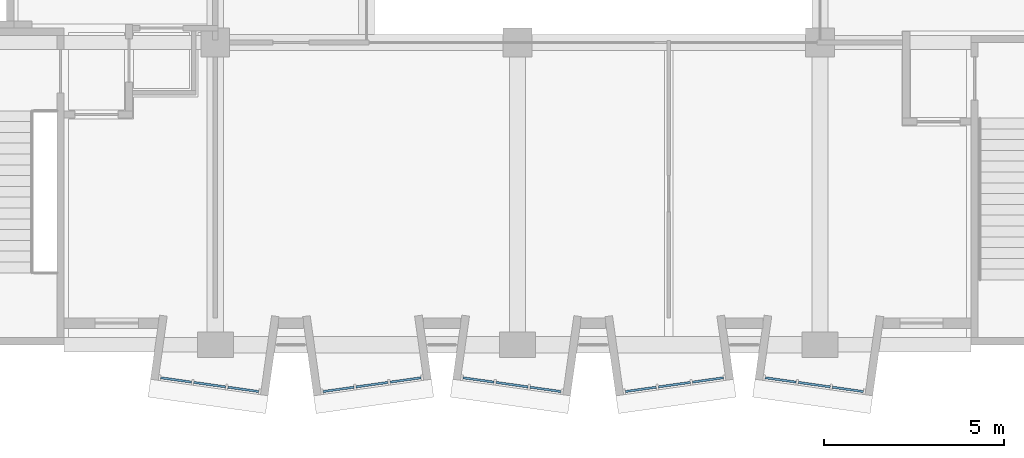
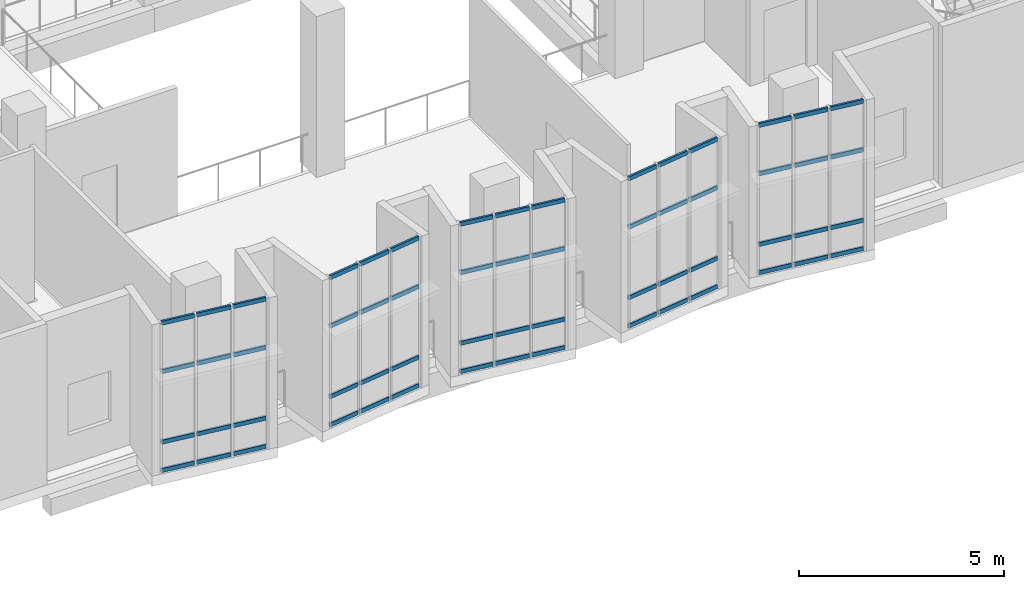
# One storey, part 25 of 86: 60 members, 5 elements without a shape of their own.
"""IFC4 building model written with IfcOpenShell, lengths in metres."""

from ifc_helpers import new_model, si_unit, direction, frame, origin, origin_2d, place, context, subcontext, project, spatial, rectangle, extrude, material, layer, layer_set, material_profile, profile_set, type_object, element, aggregate, save


model = new_model("IFC4")

# Units and contexts
model_context = context("Model", 3, precision=1e-05, world=origin(), true_north=direction((0.0, 1.0)))
body_context = subcontext(model_context, "Body", "Model", "MODEL_VIEW")
ifc_project = project(units=[si_unit("LENGTHUNIT", "METRE"), si_unit("AREAUNIT", "SQUARE_METRE"), si_unit("VOLUMEUNIT", "CUBIC_METRE"), si_unit("PLANEANGLEUNIT", "RADIAN"), si_unit("MASSUNIT", "GRAM", prefix="KILO")], contexts=[model_context])

# Site, building, storey
site_placement = place(None, origin())
site = spatial("IfcSite", under=ifc_project, at=site_placement, CompositionType="ELEMENT")
building_placement = place(site_placement, origin())
building = spatial("IfcBuilding", under=site, at=building_placement, Name="Kiln Court Media Centre", CompositionType="ELEMENT")
storey_placement = place(building_placement, frame((0.0, 0.0, 10.199951171875)))
storey = spatial("IfcBuildingStorey", under=building, at=storey_placement, Name="L02", CompositionType="ELEMENT", Elevation=10.199951171875)

# Curtain wall, members
ifc_material_1 = material(Name="Aluminium 6063-T6", Category="aluminium")
ifc_layer = layer(ifc_material_1, 0.1201171875)
ifc_layer_set = layer_set([ifc_layer], Name="Aluminium unitised bay curtain wall")
curtain_wall_type = type_object("IfcCurtainWallType", Name="Aluminium unitised bay curtain wall", PredefinedType="USERDEFINED", material=ifc_layer_set)
curtain_wall_1_placement = place(storey_placement, origin())
curtain_wall_1 = element("IfcCurtainWall", 1, at=curtain_wall_1_placement, inside=storey, type_object=curtain_wall_type, Name="BAY V6A-S-L02-10 front", ObjectType="UNITISED CURTAIN WALL", PredefinedType="USERDEFINED")
ifc_material_2 = material(Name="Aluminium 6063-T6", Category="aluminium")
ifc_material_profile = material_profile(ifc_material_2, rectangle(XDim=0.06005859375, YDim=0.1201171875, at=origin_2d()), Name="Aluminium transom 60x120")
ifc_profile_set = profile_set([ifc_material_profile], Name="Aluminium 6063-T6")
member_type = type_object("IfcMemberType", Name="Aluminium transom 60x120", PredefinedType="USERDEFINED", material=ifc_profile_set)
member_1_placement = place(storey_placement, frame((6.882568359375, -0.917724609375, 0.06005859375), z_axis=(0.990268108888, -0.139172815303, 0.0), x_axis=(0.139172815303, 0.990268108888, 0.0)))
member_1 = element("IfcMember", 2, at=member_1_placement, type_object=member_type, Name="CW2-08 transom 1.1", ObjectType="TRANSOM", PredefinedType="USERDEFINED", context=body_context, shape_type="SweptSolid", body=[
    extrude(rectangle(XDim=0.06005859375, YDim=0.1201171875, at=origin_2d()), origin(), (0.0, 0.0, 1.0), 0.86669921875),
])
member_2_placement = place(storey_placement, frame((6.882568359375, -0.917724609375, 0.900146484375), z_axis=(0.990268108888, -0.139172815303, 0.0), x_axis=(0.139172815303, 0.990268108888, 0.0)))
member_2 = element("IfcMember", 3, at=member_2_placement, type_object=member_type, Name="CW2-08 transom 1.2", ObjectType="TRANSOM", PredefinedType="USERDEFINED", context=body_context, shape_type="SweptSolid", body=[
    extrude(rectangle(XDim=0.06005859375, YDim=0.1201171875, at=origin_2d()), origin(), (0.0, 0.0, 1.0), 0.86669921875),
])
member_3_placement = place(storey_placement, frame((6.882568359375, -0.917724609375, 3.0), z_axis=(0.990268108888, -0.139172815303, 0.0), x_axis=(0.139172815303, 0.990268108888, 0.0)))
member_3 = element("IfcMember", 4, at=member_3_placement, type_object=member_type, Name="CW2-08 transom 1.3", ObjectType="TRANSOM", PredefinedType="USERDEFINED", context=body_context, shape_type="SweptSolid", body=[
    extrude(rectangle(XDim=0.06005859375, YDim=0.1201171875, at=origin_2d()), origin(), (0.0, 0.0, 1.0), 0.86669921875),
])
member_4_placement = place(storey_placement, frame((6.882568359375, -0.917724609375, 4.43994140625), z_axis=(0.990268108888, -0.139172815303, 0.0), x_axis=(0.139172815303, 0.990268108888, 0.0)))
member_4 = element("IfcMember", 5, at=member_4_placement, type_object=member_type, Name="CW2-08 transom 1.4", ObjectType="TRANSOM", PredefinedType="USERDEFINED", context=body_context, shape_type="SweptSolid", body=[
    extrude(rectangle(XDim=0.06005859375, YDim=0.1201171875, at=origin_2d()), origin(), (0.0, 0.0, 1.0), 0.86669921875),
])
member_5_placement = place(storey_placement, frame((7.80029296875, -1.046630859375, 0.06005859375), z_axis=(0.990273584723, -0.13913384707, 0.0), x_axis=(0.13913384707, 0.990273584723, 0.0)))
member_5 = element("IfcMember", 6, at=member_5_placement, type_object=member_type, Name="CW2-08 transom 2.1", ObjectType="TRANSOM", PredefinedType="USERDEFINED", context=body_context, shape_type="SweptSolid", body=[
    extrude(rectangle(XDim=0.06005859375, YDim=0.1201171875, at=origin_2d()), origin(), (0.0, 0.0, 1.0), 0.896728515625),
])
member_6_placement = place(storey_placement, frame((7.80029296875, -1.046630859375, 0.900146484375), z_axis=(0.990273584723, -0.13913384707, 0.0), x_axis=(0.13913384707, 0.990273584723, 0.0)))
member_6 = element("IfcMember", 7, at=member_6_placement, type_object=member_type, Name="CW2-08 transom 2.2", ObjectType="TRANSOM", PredefinedType="USERDEFINED", context=body_context, shape_type="SweptSolid", body=[
    extrude(rectangle(XDim=0.06005859375, YDim=0.1201171875, at=origin_2d()), origin(), (0.0, 0.0, 1.0), 0.896728515625),
])
member_7_placement = place(storey_placement, frame((7.80029296875, -1.046630859375, 3.0), z_axis=(0.990273584723, -0.13913384707, 0.0), x_axis=(0.13913384707, 0.990273584723, 0.0)))
member_7 = element("IfcMember", 8, at=member_7_placement, type_object=member_type, Name="CW2-08 transom 2.3", ObjectType="TRANSOM", PredefinedType="USERDEFINED", context=body_context, shape_type="SweptSolid", body=[
    extrude(rectangle(XDim=0.06005859375, YDim=0.1201171875, at=origin_2d()), origin(), (0.0, 0.0, 1.0), 0.896728515625),
])
member_8_placement = place(storey_placement, frame((7.80029296875, -1.046630859375, 4.43994140625), z_axis=(0.990273584723, -0.13913384707, 0.0), x_axis=(0.13913384707, 0.990273584723, 0.0)))
member_8 = element("IfcMember", 9, at=member_8_placement, type_object=member_type, Name="CW2-08 transom 2.4", ObjectType="TRANSOM", PredefinedType="USERDEFINED", context=body_context, shape_type="SweptSolid", body=[
    extrude(rectangle(XDim=0.06005859375, YDim=0.1201171875, at=origin_2d()), origin(), (0.0, 0.0, 1.0), 0.896728515625),
])
member_9_placement = place(storey_placement, frame((8.74755859375, -1.179931640625, 0.06005859375), z_axis=(0.990268108888, -0.139172815303, 0.0), x_axis=(0.139172815303, 0.990268108888, 0.0)))
member_9 = element("IfcMember", 10, at=member_9_placement, type_object=member_type, Name="CW2-08 transom 3.1", ObjectType="TRANSOM", PredefinedType="USERDEFINED", context=body_context, shape_type="SweptSolid", body=[
    extrude(rectangle(XDim=0.06005859375, YDim=0.1201171875, at=origin_2d()), origin(), (0.0, 0.0, 1.0), 0.86669921875),
])
member_10_placement = place(storey_placement, frame((8.74755859375, -1.179931640625, 0.900146484375), z_axis=(0.990268108888, -0.139172815303, 0.0), x_axis=(0.139172815303, 0.990268108888, 0.0)))
member_10 = element("IfcMember", 11, at=member_10_placement, type_object=member_type, Name="CW2-08 transom 3.2", ObjectType="TRANSOM", PredefinedType="USERDEFINED", context=body_context, shape_type="SweptSolid", body=[
    extrude(rectangle(XDim=0.06005859375, YDim=0.1201171875, at=origin_2d()), origin(), (0.0, 0.0, 1.0), 0.86669921875),
])
member_11_placement = place(storey_placement, frame((8.74755859375, -1.179931640625, 3.0), z_axis=(0.990268108888, -0.139172815303, 0.0), x_axis=(0.139172815303, 0.990268108888, 0.0)))
member_11 = element("IfcMember", 12, at=member_11_placement, type_object=member_type, Name="CW2-08 transom 3.3", ObjectType="TRANSOM", PredefinedType="USERDEFINED", context=body_context, shape_type="SweptSolid", body=[
    extrude(rectangle(XDim=0.06005859375, YDim=0.1201171875, at=origin_2d()), origin(), (0.0, 0.0, 1.0), 0.86669921875),
])
member_12_placement = place(storey_placement, frame((8.74755859375, -1.179931640625, 4.43994140625), z_axis=(0.990268108888, -0.139172815303, 0.0), x_axis=(0.139172815303, 0.990268108888, 0.0)))
member_12 = element("IfcMember", 13, at=member_12_placement, type_object=member_type, Name="CW2-08 transom 3.4", ObjectType="TRANSOM", PredefinedType="USERDEFINED", context=body_context, shape_type="SweptSolid", body=[
    extrude(rectangle(XDim=0.06005859375, YDim=0.1201171875, at=origin_2d()), origin(), (0.0, 0.0, 1.0), 0.86669921875),
])
aggregate(curtain_wall_1, [member_1, member_2, member_3, member_4, member_5, member_6, member_7, member_8, member_9, member_10, member_11, member_12])

curtain_wall_2_placement = place(storey_placement, origin())
curtain_wall_2 = element("IfcCurtainWall", 14, at=curtain_wall_2_placement, inside=storey, type_object=curtain_wall_type, Name="BAY V6A-S-L02-11 front", ObjectType="UNITISED CURTAIN WALL", PredefinedType="USERDEFINED")
member_13_placement = place(storey_placement, frame((11.394287109375, -1.300537109375, 0.06005859375), z_axis=(0.990268108888, 0.139172815303, 0.0), x_axis=(-0.139172815303, 0.990268108888, 0.0)))
member_13 = element("IfcMember", 15, at=member_13_placement, type_object=member_type, Name="CW2-09 transom 1.1", ObjectType="TRANSOM", PredefinedType="USERDEFINED", context=body_context, shape_type="SweptSolid", body=[
    extrude(rectangle(XDim=0.06005859375, YDim=0.1201171875, at=origin_2d()), origin(), (0.0, 0.0, 1.0), 0.86669921875),
])
member_14_placement = place(storey_placement, frame((11.394287109375, -1.300537109375, 0.900146484375), z_axis=(0.990268108888, 0.139172815303, 0.0), x_axis=(-0.139172815303, 0.990268108888, 0.0)))
member_14 = element("IfcMember", 16, at=member_14_placement, type_object=member_type, Name="CW2-09 transom 1.2", ObjectType="TRANSOM", PredefinedType="USERDEFINED", context=body_context, shape_type="SweptSolid", body=[
    extrude(rectangle(XDim=0.06005859375, YDim=0.1201171875, at=origin_2d()), origin(), (0.0, 0.0, 1.0), 0.86669921875),
])
member_15_placement = place(storey_placement, frame((11.394287109375, -1.300537109375, 3.0), z_axis=(0.990268108888, 0.139172815303, 0.0), x_axis=(-0.139172815303, 0.990268108888, 0.0)))
member_15 = element("IfcMember", 17, at=member_15_placement, type_object=member_type, Name="CW2-09 transom 1.3", ObjectType="TRANSOM", PredefinedType="USERDEFINED", context=body_context, shape_type="SweptSolid", body=[
    extrude(rectangle(XDim=0.06005859375, YDim=0.1201171875, at=origin_2d()), origin(), (0.0, 0.0, 1.0), 0.86669921875),
])
member_16_placement = place(storey_placement, frame((11.394287109375, -1.300537109375, 4.43994140625), z_axis=(0.990268108888, 0.139172815303, 0.0), x_axis=(-0.139172815303, 0.990268108888, 0.0)))
member_16 = element("IfcMember", 18, at=member_16_placement, type_object=member_type, Name="CW2-09 transom 1.4", ObjectType="TRANSOM", PredefinedType="USERDEFINED", context=body_context, shape_type="SweptSolid", body=[
    extrude(rectangle(XDim=0.06005859375, YDim=0.1201171875, at=origin_2d()), origin(), (0.0, 0.0, 1.0), 0.86669921875),
])
member_17_placement = place(storey_placement, frame((12.311767578125, -1.17138671875, 0.06005859375), z_axis=(0.990273584723, 0.13913384707, 0.0), x_axis=(-0.13913384707, 0.990273584723, 0.0)))
member_17 = element("IfcMember", 19, at=member_17_placement, type_object=member_type, Name="CW2-09 transom 2.1", ObjectType="TRANSOM", PredefinedType="USERDEFINED", context=body_context, shape_type="SweptSolid", body=[
    extrude(rectangle(XDim=0.06005859375, YDim=0.1201171875, at=origin_2d()), origin(), (0.0, 0.0, 1.0), 0.896728515625),
])
member_18_placement = place(storey_placement, frame((12.311767578125, -1.17138671875, 0.900146484375), z_axis=(0.990273584723, 0.13913384707, 0.0), x_axis=(-0.13913384707, 0.990273584723, 0.0)))
member_18 = element("IfcMember", 20, at=member_18_placement, type_object=member_type, Name="CW2-09 transom 2.2", ObjectType="TRANSOM", PredefinedType="USERDEFINED", context=body_context, shape_type="SweptSolid", body=[
    extrude(rectangle(XDim=0.06005859375, YDim=0.1201171875, at=origin_2d()), origin(), (0.0, 0.0, 1.0), 0.896728515625),
])
member_19_placement = place(storey_placement, frame((12.311767578125, -1.17138671875, 3.0), z_axis=(0.990273584723, 0.13913384707, 0.0), x_axis=(-0.13913384707, 0.990273584723, 0.0)))
member_19 = element("IfcMember", 21, at=member_19_placement, type_object=member_type, Name="CW2-09 transom 2.3", ObjectType="TRANSOM", PredefinedType="USERDEFINED", context=body_context, shape_type="SweptSolid", body=[
    extrude(rectangle(XDim=0.06005859375, YDim=0.1201171875, at=origin_2d()), origin(), (0.0, 0.0, 1.0), 0.896728515625),
])
member_20_placement = place(storey_placement, frame((12.311767578125, -1.17138671875, 4.43994140625), z_axis=(0.990273584723, 0.13913384707, 0.0), x_axis=(-0.13913384707, 0.990273584723, 0.0)))
member_20 = element("IfcMember", 22, at=member_20_placement, type_object=member_type, Name="CW2-09 transom 2.4", ObjectType="TRANSOM", PredefinedType="USERDEFINED", context=body_context, shape_type="SweptSolid", body=[
    extrude(rectangle(XDim=0.06005859375, YDim=0.1201171875, at=origin_2d()), origin(), (0.0, 0.0, 1.0), 0.896728515625),
])
member_21_placement = place(storey_placement, frame((13.25927734375, -1.038330078125, 0.06005859375), z_axis=(0.990268108888, 0.139172815303, 0.0), x_axis=(-0.139172815303, 0.990268108888, 0.0)))
member_21 = element("IfcMember", 23, at=member_21_placement, type_object=member_type, Name="CW2-09 transom 3.1", ObjectType="TRANSOM", PredefinedType="USERDEFINED", context=body_context, shape_type="SweptSolid", body=[
    extrude(rectangle(XDim=0.06005859375, YDim=0.1201171875, at=origin_2d()), origin(), (0.0, 0.0, 1.0), 0.86669921875),
])
member_22_placement = place(storey_placement, frame((13.25927734375, -1.038330078125, 0.900146484375), z_axis=(0.990268108888, 0.139172815303, 0.0), x_axis=(-0.139172815303, 0.990268108888, 0.0)))
member_22 = element("IfcMember", 24, at=member_22_placement, type_object=member_type, Name="CW2-09 transom 3.2", ObjectType="TRANSOM", PredefinedType="USERDEFINED", context=body_context, shape_type="SweptSolid", body=[
    extrude(rectangle(XDim=0.06005859375, YDim=0.1201171875, at=origin_2d()), origin(), (0.0, 0.0, 1.0), 0.86669921875),
])
member_23_placement = place(storey_placement, frame((13.25927734375, -1.038330078125, 3.0), z_axis=(0.990268108888, 0.139172815303, 0.0), x_axis=(-0.139172815303, 0.990268108888, 0.0)))
member_23 = element("IfcMember", 25, at=member_23_placement, type_object=member_type, Name="CW2-09 transom 3.3", ObjectType="TRANSOM", PredefinedType="USERDEFINED", context=body_context, shape_type="SweptSolid", body=[
    extrude(rectangle(XDim=0.06005859375, YDim=0.1201171875, at=origin_2d()), origin(), (0.0, 0.0, 1.0), 0.86669921875),
])
member_24_placement = place(storey_placement, frame((13.25927734375, -1.038330078125, 4.43994140625), z_axis=(0.990268108888, 0.139172815303, 0.0), x_axis=(-0.139172815303, 0.990268108888, 0.0)))
member_24 = element("IfcMember", 26, at=member_24_placement, type_object=member_type, Name="CW2-09 transom 3.4", ObjectType="TRANSOM", PredefinedType="USERDEFINED", context=body_context, shape_type="SweptSolid", body=[
    extrude(rectangle(XDim=0.06005859375, YDim=0.1201171875, at=origin_2d()), origin(), (0.0, 0.0, 1.0), 0.86669921875),
])
aggregate(curtain_wall_2, [member_13, member_14, member_15, member_16, member_17, member_18, member_19, member_20, member_21, member_22, member_23, member_24])

curtain_wall_3_placement = place(storey_placement, origin())
curtain_wall_3 = element("IfcCurtainWall", 27, at=curtain_wall_3_placement, inside=storey, type_object=curtain_wall_type, Name="BAY V6A-S-L02-12 front", ObjectType="UNITISED CURTAIN WALL", PredefinedType="USERDEFINED")
member_25_placement = place(storey_placement, frame((15.282470703125, -0.917724609375, 0.06005859375), z_axis=(0.990273563383, -0.139133998951, 0.0), x_axis=(0.139133998951, 0.990273563383, 0.0)))
member_25 = element("IfcMember", 28, at=member_25_placement, type_object=member_type, Name="CW2-10 transom 1.1", ObjectType="TRANSOM", PredefinedType="USERDEFINED", context=body_context, shape_type="SweptSolid", body=[
    extrude(rectangle(XDim=0.06005859375, YDim=0.1201171875, at=origin_2d()), origin(), (0.0, 0.0, 1.0), 0.866943359375),
])
member_26_placement = place(storey_placement, frame((15.282470703125, -0.917724609375, 0.900146484375), z_axis=(0.990273563383, -0.139133998951, 0.0), x_axis=(0.139133998951, 0.990273563383, 0.0)))
member_26 = element("IfcMember", 29, at=member_26_placement, type_object=member_type, Name="CW2-10 transom 1.2", ObjectType="TRANSOM", PredefinedType="USERDEFINED", context=body_context, shape_type="SweptSolid", body=[
    extrude(rectangle(XDim=0.06005859375, YDim=0.1201171875, at=origin_2d()), origin(), (0.0, 0.0, 1.0), 0.866943359375),
])
member_27_placement = place(storey_placement, frame((15.282470703125, -0.917724609375, 3.0), z_axis=(0.990273563383, -0.139133998951, 0.0), x_axis=(0.139133998951, 0.990273563383, 0.0)))
member_27 = element("IfcMember", 30, at=member_27_placement, type_object=member_type, Name="CW2-10 transom 1.3", ObjectType="TRANSOM", PredefinedType="USERDEFINED", context=body_context, shape_type="SweptSolid", body=[
    extrude(rectangle(XDim=0.06005859375, YDim=0.1201171875, at=origin_2d()), origin(), (0.0, 0.0, 1.0), 0.866943359375),
])
member_28_placement = place(storey_placement, frame((15.282470703125, -0.917724609375, 4.43994140625), z_axis=(0.990273563383, -0.139133998951, 0.0), x_axis=(0.139133998951, 0.990273563383, 0.0)))
member_28 = element("IfcMember", 31, at=member_28_placement, type_object=member_type, Name="CW2-10 transom 1.4", ObjectType="TRANSOM", PredefinedType="USERDEFINED", context=body_context, shape_type="SweptSolid", body=[
    extrude(rectangle(XDim=0.06005859375, YDim=0.1201171875, at=origin_2d()), origin(), (0.0, 0.0, 1.0), 0.866943359375),
])
member_29_placement = place(storey_placement, frame((16.2001953125, -1.046630859375, 0.06005859375), z_axis=(0.990273584723, -0.13913384707, 0.0), x_axis=(0.13913384707, 0.990273584723, 0.0)))
member_29 = element("IfcMember", 32, at=member_29_placement, type_object=member_type, Name="CW2-10 transom 2.1", ObjectType="TRANSOM", PredefinedType="USERDEFINED", context=body_context, shape_type="SweptSolid", body=[
    extrude(rectangle(XDim=0.06005859375, YDim=0.1201171875, at=origin_2d()), origin(), (0.0, 0.0, 1.0), 0.896728515625),
])
member_30_placement = place(storey_placement, frame((16.2001953125, -1.046630859375, 0.900146484375), z_axis=(0.990273584723, -0.13913384707, 0.0), x_axis=(0.13913384707, 0.990273584723, 0.0)))
member_30 = element("IfcMember", 33, at=member_30_placement, type_object=member_type, Name="CW2-10 transom 2.2", ObjectType="TRANSOM", PredefinedType="USERDEFINED", context=body_context, shape_type="SweptSolid", body=[
    extrude(rectangle(XDim=0.06005859375, YDim=0.1201171875, at=origin_2d()), origin(), (0.0, 0.0, 1.0), 0.896728515625),
])
member_31_placement = place(storey_placement, frame((16.2001953125, -1.046630859375, 3.0), z_axis=(0.990273584723, -0.13913384707, 0.0), x_axis=(0.13913384707, 0.990273584723, 0.0)))
member_31 = element("IfcMember", 34, at=member_31_placement, type_object=member_type, Name="CW2-10 transom 2.3", ObjectType="TRANSOM", PredefinedType="USERDEFINED", context=body_context, shape_type="SweptSolid", body=[
    extrude(rectangle(XDim=0.06005859375, YDim=0.1201171875, at=origin_2d()), origin(), (0.0, 0.0, 1.0), 0.896728515625),
])
member_32_placement = place(storey_placement, frame((16.2001953125, -1.046630859375, 4.43994140625), z_axis=(0.990273584723, -0.13913384707, 0.0), x_axis=(0.13913384707, 0.990273584723, 0.0)))
member_32 = element("IfcMember", 35, at=member_32_placement, type_object=member_type, Name="CW2-10 transom 2.4", ObjectType="TRANSOM", PredefinedType="USERDEFINED", context=body_context, shape_type="SweptSolid", body=[
    extrude(rectangle(XDim=0.06005859375, YDim=0.1201171875, at=origin_2d()), origin(), (0.0, 0.0, 1.0), 0.896728515625),
])
member_33_placement = place(storey_placement, frame((17.1474609375, -1.179931640625, 0.06005859375), z_axis=(0.990273563383, -0.139133998951, 0.0), x_axis=(0.139133998951, 0.990273563383, 0.0)))
member_33 = element("IfcMember", 36, at=member_33_placement, type_object=member_type, Name="CW2-10 transom 3.1", ObjectType="TRANSOM", PredefinedType="USERDEFINED", context=body_context, shape_type="SweptSolid", body=[
    extrude(rectangle(XDim=0.06005859375, YDim=0.1201171875, at=origin_2d()), origin(), (0.0, 0.0, 1.0), 0.866943359375),
])
member_34_placement = place(storey_placement, frame((17.1474609375, -1.179931640625, 0.900146484375), z_axis=(0.990273563383, -0.139133998951, 0.0), x_axis=(0.139133998951, 0.990273563383, 0.0)))
member_34 = element("IfcMember", 37, at=member_34_placement, type_object=member_type, Name="CW2-10 transom 3.2", ObjectType="TRANSOM", PredefinedType="USERDEFINED", context=body_context, shape_type="SweptSolid", body=[
    extrude(rectangle(XDim=0.06005859375, YDim=0.1201171875, at=origin_2d()), origin(), (0.0, 0.0, 1.0), 0.866943359375),
])
member_35_placement = place(storey_placement, frame((17.1474609375, -1.179931640625, 3.0), z_axis=(0.990273563383, -0.139133998951, 0.0), x_axis=(0.139133998951, 0.990273563383, 0.0)))
member_35 = element("IfcMember", 38, at=member_35_placement, type_object=member_type, Name="CW2-10 transom 3.3", ObjectType="TRANSOM", PredefinedType="USERDEFINED", context=body_context, shape_type="SweptSolid", body=[
    extrude(rectangle(XDim=0.06005859375, YDim=0.1201171875, at=origin_2d()), origin(), (0.0, 0.0, 1.0), 0.866943359375),
])
member_36_placement = place(storey_placement, frame((17.1474609375, -1.179931640625, 4.43994140625), z_axis=(0.990273563383, -0.139133998951, 0.0), x_axis=(0.139133998951, 0.990273563383, 0.0)))
member_36 = element("IfcMember", 39, at=member_36_placement, type_object=member_type, Name="CW2-10 transom 3.4", ObjectType="TRANSOM", PredefinedType="USERDEFINED", context=body_context, shape_type="SweptSolid", body=[
    extrude(rectangle(XDim=0.06005859375, YDim=0.1201171875, at=origin_2d()), origin(), (0.0, 0.0, 1.0), 0.866943359375),
])
aggregate(curtain_wall_3, [member_25, member_26, member_27, member_28, member_29, member_30, member_31, member_32, member_33, member_34, member_35, member_36])

curtain_wall_4_placement = place(storey_placement, origin())
curtain_wall_4 = element("IfcCurtainWall", 40, at=curtain_wall_4_placement, inside=storey, type_object=curtain_wall_type, Name="BAY V6A-S-L02-13 front", ObjectType="UNITISED CURTAIN WALL", PredefinedType="USERDEFINED")
member_37_placement = place(storey_placement, frame((19.794189453125, -1.300537109375, 0.06005859375), z_axis=(0.990268108888, 0.139172815303, 0.0), x_axis=(-0.139172815303, 0.990268108888, 0.0)))
member_37 = element("IfcMember", 41, at=member_37_placement, type_object=member_type, Name="CW2-11 transom 1.1", ObjectType="TRANSOM", PredefinedType="USERDEFINED", context=body_context, shape_type="SweptSolid", body=[
    extrude(rectangle(XDim=0.06005859375, YDim=0.1201171875, at=origin_2d()), origin(), (0.0, 0.0, 1.0), 0.86669921875),
])
member_38_placement = place(storey_placement, frame((19.794189453125, -1.300537109375, 0.900146484375), z_axis=(0.990268108888, 0.139172815303, 0.0), x_axis=(-0.139172815303, 0.990268108888, 0.0)))
member_38 = element("IfcMember", 42, at=member_38_placement, type_object=member_type, Name="CW2-11 transom 1.2", ObjectType="TRANSOM", PredefinedType="USERDEFINED", context=body_context, shape_type="SweptSolid", body=[
    extrude(rectangle(XDim=0.06005859375, YDim=0.1201171875, at=origin_2d()), origin(), (0.0, 0.0, 1.0), 0.86669921875),
])
member_39_placement = place(storey_placement, frame((19.794189453125, -1.300537109375, 3.0), z_axis=(0.990268108888, 0.139172815303, 0.0), x_axis=(-0.139172815303, 0.990268108888, 0.0)))
member_39 = element("IfcMember", 43, at=member_39_placement, type_object=member_type, Name="CW2-11 transom 1.3", ObjectType="TRANSOM", PredefinedType="USERDEFINED", context=body_context, shape_type="SweptSolid", body=[
    extrude(rectangle(XDim=0.06005859375, YDim=0.1201171875, at=origin_2d()), origin(), (0.0, 0.0, 1.0), 0.86669921875),
])
member_40_placement = place(storey_placement, frame((19.794189453125, -1.300537109375, 4.43994140625), z_axis=(0.990268108888, 0.139172815303, 0.0), x_axis=(-0.139172815303, 0.990268108888, 0.0)))
member_40 = element("IfcMember", 44, at=member_40_placement, type_object=member_type, Name="CW2-11 transom 1.4", ObjectType="TRANSOM", PredefinedType="USERDEFINED", context=body_context, shape_type="SweptSolid", body=[
    extrude(rectangle(XDim=0.06005859375, YDim=0.1201171875, at=origin_2d()), origin(), (0.0, 0.0, 1.0), 0.86669921875),
])
member_41_placement = place(storey_placement, frame((20.7119140625, -1.17138671875, 0.06005859375), z_axis=(0.990273584723, 0.13913384707, 0.0), x_axis=(-0.13913384707, 0.990273584723, 0.0)))
member_41 = element("IfcMember", 45, at=member_41_placement, type_object=member_type, Name="CW2-11 transom 2.1", ObjectType="TRANSOM", PredefinedType="USERDEFINED", context=body_context, shape_type="SweptSolid", body=[
    extrude(rectangle(XDim=0.06005859375, YDim=0.1201171875, at=origin_2d()), origin(), (0.0, 0.0, 1.0), 0.896728515625),
])
member_42_placement = place(storey_placement, frame((20.7119140625, -1.17138671875, 0.900146484375), z_axis=(0.990273584723, 0.13913384707, 0.0), x_axis=(-0.13913384707, 0.990273584723, 0.0)))
member_42 = element("IfcMember", 46, at=member_42_placement, type_object=member_type, Name="CW2-11 transom 2.2", ObjectType="TRANSOM", PredefinedType="USERDEFINED", context=body_context, shape_type="SweptSolid", body=[
    extrude(rectangle(XDim=0.06005859375, YDim=0.1201171875, at=origin_2d()), origin(), (0.0, 0.0, 1.0), 0.896728515625),
])
member_43_placement = place(storey_placement, frame((20.7119140625, -1.17138671875, 3.0), z_axis=(0.990273584723, 0.13913384707, 0.0), x_axis=(-0.13913384707, 0.990273584723, 0.0)))
member_43 = element("IfcMember", 47, at=member_43_placement, type_object=member_type, Name="CW2-11 transom 2.3", ObjectType="TRANSOM", PredefinedType="USERDEFINED", context=body_context, shape_type="SweptSolid", body=[
    extrude(rectangle(XDim=0.06005859375, YDim=0.1201171875, at=origin_2d()), origin(), (0.0, 0.0, 1.0), 0.896728515625),
])
member_44_placement = place(storey_placement, frame((20.7119140625, -1.17138671875, 4.43994140625), z_axis=(0.990273584723, 0.13913384707, 0.0), x_axis=(-0.13913384707, 0.990273584723, 0.0)))
member_44 = element("IfcMember", 48, at=member_44_placement, type_object=member_type, Name="CW2-11 transom 2.4", ObjectType="TRANSOM", PredefinedType="USERDEFINED", context=body_context, shape_type="SweptSolid", body=[
    extrude(rectangle(XDim=0.06005859375, YDim=0.1201171875, at=origin_2d()), origin(), (0.0, 0.0, 1.0), 0.896728515625),
])
member_45_placement = place(storey_placement, frame((21.6591796875, -1.038330078125, 0.06005859375), z_axis=(0.990273563383, 0.139133998951, 0.0), x_axis=(-0.139133998951, 0.990273563383, 0.0)))
member_45 = element("IfcMember", 49, at=member_45_placement, type_object=member_type, Name="CW2-11 transom 3.1", ObjectType="TRANSOM", PredefinedType="USERDEFINED", context=body_context, shape_type="SweptSolid", body=[
    extrude(rectangle(XDim=0.06005859375, YDim=0.1201171875, at=origin_2d()), origin(), (0.0, 0.0, 1.0), 0.866943359375),
])
member_46_placement = place(storey_placement, frame((21.6591796875, -1.038330078125, 0.900146484375), z_axis=(0.990273563383, 0.139133998951, 0.0), x_axis=(-0.139133998951, 0.990273563383, 0.0)))
member_46 = element("IfcMember", 50, at=member_46_placement, type_object=member_type, Name="CW2-11 transom 3.2", ObjectType="TRANSOM", PredefinedType="USERDEFINED", context=body_context, shape_type="SweptSolid", body=[
    extrude(rectangle(XDim=0.06005859375, YDim=0.1201171875, at=origin_2d()), origin(), (0.0, 0.0, 1.0), 0.866943359375),
])
member_47_placement = place(storey_placement, frame((21.6591796875, -1.038330078125, 3.0), z_axis=(0.990273563383, 0.139133998951, 0.0), x_axis=(-0.139133998951, 0.990273563383, 0.0)))
member_47 = element("IfcMember", 51, at=member_47_placement, type_object=member_type, Name="CW2-11 transom 3.3", ObjectType="TRANSOM", PredefinedType="USERDEFINED", context=body_context, shape_type="SweptSolid", body=[
    extrude(rectangle(XDim=0.06005859375, YDim=0.1201171875, at=origin_2d()), origin(), (0.0, 0.0, 1.0), 0.866943359375),
])
member_48_placement = place(storey_placement, frame((21.6591796875, -1.038330078125, 4.43994140625), z_axis=(0.990273563383, 0.139133998951, 0.0), x_axis=(-0.139133998951, 0.990273563383, 0.0)))
member_48 = element("IfcMember", 52, at=member_48_placement, type_object=member_type, Name="CW2-11 transom 3.4", ObjectType="TRANSOM", PredefinedType="USERDEFINED", context=body_context, shape_type="SweptSolid", body=[
    extrude(rectangle(XDim=0.06005859375, YDim=0.1201171875, at=origin_2d()), origin(), (0.0, 0.0, 1.0), 0.866943359375),
])
aggregate(curtain_wall_4, [member_37, member_38, member_39, member_40, member_41, member_42, member_43, member_44, member_45, member_46, member_47, member_48])

curtain_wall_5_placement = place(storey_placement, origin())
curtain_wall_5 = element("IfcCurtainWall", 53, at=curtain_wall_5_placement, inside=storey, type_object=curtain_wall_type, Name="BAY V6A-S-L02-14 front", ObjectType="UNITISED CURTAIN WALL", PredefinedType="USERDEFINED")
member_49_placement = place(storey_placement, frame((23.6826171875, -0.917724609375, 0.06005859375), z_axis=(0.990268108888, -0.139172815303, 0.0), x_axis=(0.139172815303, 0.990268108888, 0.0)))
member_49 = element("IfcMember", 54, at=member_49_placement, type_object=member_type, Name="CW2-12 transom 1.1", ObjectType="TRANSOM", PredefinedType="USERDEFINED", context=body_context, shape_type="SweptSolid", body=[
    extrude(rectangle(XDim=0.06005859375, YDim=0.1201171875, at=origin_2d()), origin(), (0.0, 0.0, 1.0), 0.86669921875),
])
member_50_placement = place(storey_placement, frame((23.6826171875, -0.917724609375, 0.900146484375), z_axis=(0.990268108888, -0.139172815303, 0.0), x_axis=(0.139172815303, 0.990268108888, 0.0)))
member_50 = element("IfcMember", 55, at=member_50_placement, type_object=member_type, Name="CW2-12 transom 1.2", ObjectType="TRANSOM", PredefinedType="USERDEFINED", context=body_context, shape_type="SweptSolid", body=[
    extrude(rectangle(XDim=0.06005859375, YDim=0.1201171875, at=origin_2d()), origin(), (0.0, 0.0, 1.0), 0.86669921875),
])
member_51_placement = place(storey_placement, frame((23.6826171875, -0.917724609375, 3.0), z_axis=(0.990268108888, -0.139172815303, 0.0), x_axis=(0.139172815303, 0.990268108888, 0.0)))
member_51 = element("IfcMember", 56, at=member_51_placement, type_object=member_type, Name="CW2-12 transom 1.3", ObjectType="TRANSOM", PredefinedType="USERDEFINED", context=body_context, shape_type="SweptSolid", body=[
    extrude(rectangle(XDim=0.06005859375, YDim=0.1201171875, at=origin_2d()), origin(), (0.0, 0.0, 1.0), 0.86669921875),
])
member_52_placement = place(storey_placement, frame((23.6826171875, -0.917724609375, 4.43994140625), z_axis=(0.990268108888, -0.139172815303, 0.0), x_axis=(0.139172815303, 0.990268108888, 0.0)))
member_52 = element("IfcMember", 57, at=member_52_placement, type_object=member_type, Name="CW2-12 transom 1.4", ObjectType="TRANSOM", PredefinedType="USERDEFINED", context=body_context, shape_type="SweptSolid", body=[
    extrude(rectangle(XDim=0.06005859375, YDim=0.1201171875, at=origin_2d()), origin(), (0.0, 0.0, 1.0), 0.86669921875),
])
member_53_placement = place(storey_placement, frame((24.60009765625, -1.046630859375, 0.06005859375), z_axis=(0.990273584723, -0.13913384707, 0.0), x_axis=(0.13913384707, 0.990273584723, 0.0)))
member_53 = element("IfcMember", 58, at=member_53_placement, type_object=member_type, Name="CW2-12 transom 2.1", ObjectType="TRANSOM", PredefinedType="USERDEFINED", context=body_context, shape_type="SweptSolid", body=[
    extrude(rectangle(XDim=0.06005859375, YDim=0.1201171875, at=origin_2d()), origin(), (0.0, 0.0, 1.0), 0.896728515625),
])
member_54_placement = place(storey_placement, frame((24.60009765625, -1.046630859375, 0.900146484375), z_axis=(0.990273584723, -0.13913384707, 0.0), x_axis=(0.13913384707, 0.990273584723, 0.0)))
member_54 = element("IfcMember", 59, at=member_54_placement, type_object=member_type, Name="CW2-12 transom 2.2", ObjectType="TRANSOM", PredefinedType="USERDEFINED", context=body_context, shape_type="SweptSolid", body=[
    extrude(rectangle(XDim=0.06005859375, YDim=0.1201171875, at=origin_2d()), origin(), (0.0, 0.0, 1.0), 0.896728515625),
])
member_55_placement = place(storey_placement, frame((24.60009765625, -1.046630859375, 3.0), z_axis=(0.990273584723, -0.13913384707, 0.0), x_axis=(0.13913384707, 0.990273584723, 0.0)))
member_55 = element("IfcMember", 60, at=member_55_placement, type_object=member_type, Name="CW2-12 transom 2.3", ObjectType="TRANSOM", PredefinedType="USERDEFINED", context=body_context, shape_type="SweptSolid", body=[
    extrude(rectangle(XDim=0.06005859375, YDim=0.1201171875, at=origin_2d()), origin(), (0.0, 0.0, 1.0), 0.896728515625),
])
member_56_placement = place(storey_placement, frame((24.60009765625, -1.046630859375, 4.43994140625), z_axis=(0.990273584723, -0.13913384707, 0.0), x_axis=(0.13913384707, 0.990273584723, 0.0)))
member_56 = element("IfcMember", 61, at=member_56_placement, type_object=member_type, Name="CW2-12 transom 2.4", ObjectType="TRANSOM", PredefinedType="USERDEFINED", context=body_context, shape_type="SweptSolid", body=[
    extrude(rectangle(XDim=0.06005859375, YDim=0.1201171875, at=origin_2d()), origin(), (0.0, 0.0, 1.0), 0.896728515625),
])
member_57_placement = place(storey_placement, frame((25.547607421875, -1.179931640625, 0.06005859375), z_axis=(0.990268108888, -0.139172815303, 0.0), x_axis=(0.139172815303, 0.990268108888, 0.0)))
member_57 = element("IfcMember", 62, at=member_57_placement, type_object=member_type, Name="CW2-12 transom 3.1", ObjectType="TRANSOM", PredefinedType="USERDEFINED", context=body_context, shape_type="SweptSolid", body=[
    extrude(rectangle(XDim=0.06005859375, YDim=0.1201171875, at=origin_2d()), origin(), (0.0, 0.0, 1.0), 0.86669921875),
])
member_58_placement = place(storey_placement, frame((25.547607421875, -1.179931640625, 0.900146484375), z_axis=(0.990268108888, -0.139172815303, 0.0), x_axis=(0.139172815303, 0.990268108888, 0.0)))
member_58 = element("IfcMember", 63, at=member_58_placement, type_object=member_type, Name="CW2-12 transom 3.2", ObjectType="TRANSOM", PredefinedType="USERDEFINED", context=body_context, shape_type="SweptSolid", body=[
    extrude(rectangle(XDim=0.06005859375, YDim=0.1201171875, at=origin_2d()), origin(), (0.0, 0.0, 1.0), 0.86669921875),
])
member_59_placement = place(storey_placement, frame((25.547607421875, -1.179931640625, 3.0), z_axis=(0.990268108888, -0.139172815303, 0.0), x_axis=(0.139172815303, 0.990268108888, 0.0)))
member_59 = element("IfcMember", 64, at=member_59_placement, type_object=member_type, Name="CW2-12 transom 3.3", ObjectType="TRANSOM", PredefinedType="USERDEFINED", context=body_context, shape_type="SweptSolid", body=[
    extrude(rectangle(XDim=0.06005859375, YDim=0.1201171875, at=origin_2d()), origin(), (0.0, 0.0, 1.0), 0.86669921875),
])
member_60_placement = place(storey_placement, frame((25.547607421875, -1.179931640625, 4.43994140625), z_axis=(0.990268108888, -0.139172815303, 0.0), x_axis=(0.139172815303, 0.990268108888, 0.0)))
member_60 = element("IfcMember", 65, at=member_60_placement, type_object=member_type, Name="CW2-12 transom 3.4", ObjectType="TRANSOM", PredefinedType="USERDEFINED", context=body_context, shape_type="SweptSolid", body=[
    extrude(rectangle(XDim=0.06005859375, YDim=0.1201171875, at=origin_2d()), origin(), (0.0, 0.0, 1.0), 0.86669921875),
])
aggregate(curtain_wall_5, [member_49, member_50, member_51, member_52, member_53, member_54, member_55, member_56, member_57, member_58, member_59, member_60])

save(model, "model.ifc")
